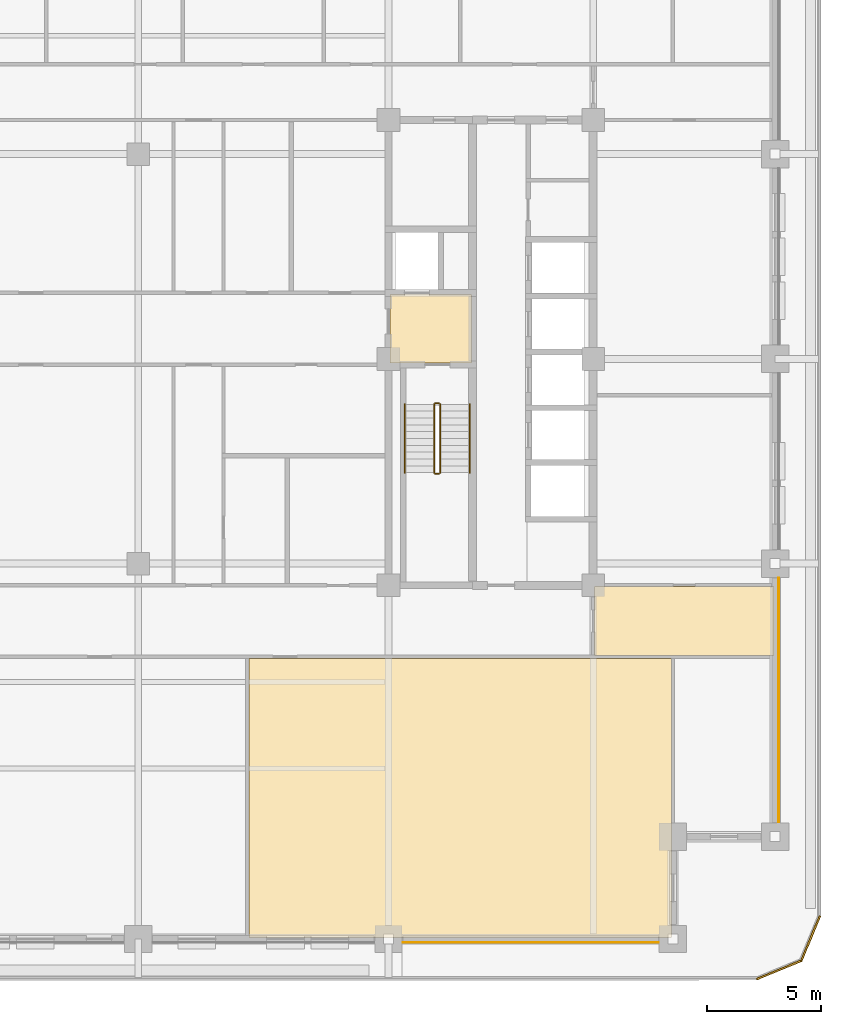
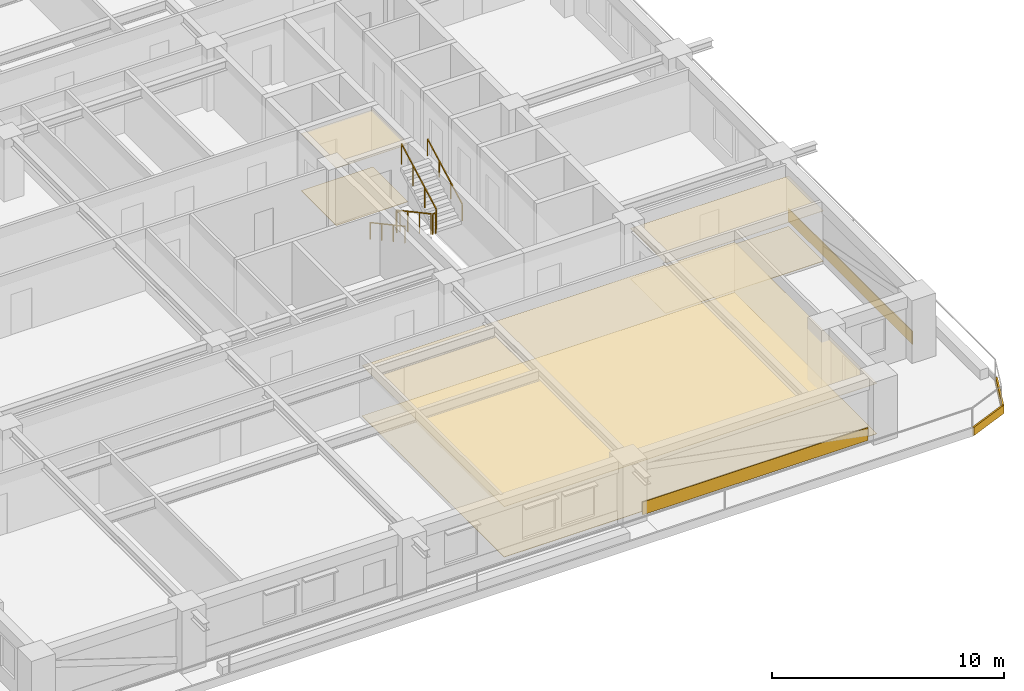
# One storey, part 12 of 14: 10 coverings, 6 railings.
"""IFC4 building model written with IfcOpenShell, lengths in metres."""

from ifc_helpers import new_model, si_unit, direction, frame, frame_2d, origin, origin_2d, place, context, subcontext, project, spatial, polyline, rectangle, outline, extrude, material, layer, layer_set, type_object, element, save


model = new_model("IFC4")

# Units and contexts
model_context = context("Model", 3, precision=1e-05, world=origin(), true_north=direction((0.0, 1.0)))
body_context = subcontext(model_context, "Body", "Model", "MODEL_VIEW")
ifc_project = project(units=[si_unit("LENGTHUNIT", "METRE"), si_unit("AREAUNIT", "SQUARE_METRE"), si_unit("VOLUMEUNIT", "CUBIC_METRE"), si_unit("PLANEANGLEUNIT", "RADIAN"), si_unit("MASSUNIT", "GRAM", prefix="KILO")], contexts=[model_context])

# Site, building, storey
site_placement = place(None, origin())
site = spatial("IfcSite", under=ifc_project, at=site_placement, CompositionType="ELEMENT")
building_placement = place(site_placement, origin())
building = spatial("IfcBuilding", under=site, at=building_placement, Name="Zulmaris Gate Convention Tower", CompositionType="ELEMENT")
storey_placement = place(building_placement, frame((0.0, 0.0, 94.929931640625)))
storey = spatial("IfcBuildingStorey", under=building, at=storey_placement, Name="L23", CompositionType="ELEMENT", Elevation=94.929931640625)

# Coverings
ifc_material_1 = material(Name="Precast concrete C40/50", Category="concrete")
ifc_layer_1 = layer(ifc_material_1, 0.0400390625, Name="Precast concrete C40/50")
ifc_layer_set_1 = layer_set([ifc_layer_1], Name="Precast concrete C40/50")
covering_type_1 = type_object("IfcCoveringType", Name="CLAD-SPANDREL-PRECAST", PredefinedType="CLADDING", material=ifc_layer_set_1)
covering_1_placement = place(storey_placement, frame((11.6298828125, -25.64990234375, 0.0), z_axis=(0.0, 0.0, 1.0), x_axis=(1.0, 0.0, 0.0)))
element("IfcCovering", 1, at=covering_1_placement, inside=storey, type_object=covering_type_1, Name="CLD-L23-S-3_0", PredefinedType="CLADDING", context=body_context, shape_type="SweptSolid", body=[
    extrude(rectangle(XDim=11.240234375, YDim=0.0400390625, at=frame_2d((5.6201171875, 0.0))), origin(), (0.0, 0.0, 1.0), 0.679931640625),
])
covering_2_placement = place(storey_placement, frame((28.14990234375, -20.3701171875, 0.0), z_axis=(0.0, 0.0, 1.0), x_axis=(0.0, 1.0, 0.0)))
element("IfcCovering", 2, at=covering_2_placement, inside=storey, type_object=covering_type_1, Name="CLD-L23-E-0_0", PredefinedType="CLADDING", context=body_context, shape_type="SweptSolid", body=[
    extrude(rectangle(XDim=10.740234375, YDim=0.0400390625, at=frame_2d((5.3701171875, 0.0))), origin(), (0.0, 0.0, 1.0), 0.679931640625),
])
ifc_material_2 = material(Name="White Glazed Architectural Precast Concrete C40/50", Category="concrete")
ifc_layer_2 = layer(ifc_material_2, 0.080078125, Name="White Glazed Architectural Precast Concrete C40/50")
ifc_layer_set_2 = layer_set([ifc_layer_2], Name="White Glazed Architectural Precast Concrete C40/50")
covering_type_2 = type_object("IfcCoveringType", Name="CLAD-TRAY-FASCIA", PredefinedType="CLADDING", material=ifc_layer_set_2)
covering_3_placement = place(storey_placement, frame((27.184814453125, -27.262939453125, -0.2900390625), z_axis=(0.0, 0.0, 1.0), x_axis=(0.923873803533, 0.382697263049, 0.0)))
element("IfcCovering", 3, at=covering_3_placement, inside=storey, type_object=covering_type_2, Name="FSC-L23-TR-03", PredefinedType="CLADDING", context=body_context, shape_type="SweptSolid", body=[
    extrude(rectangle(XDim=2.142822265625, YDim=0.080078125, at=frame_2d((1.0712890625, 0.0))), origin(), (0.0, 0.0, 1.0), 0.43994140625),
])
covering_4_placement = place(storey_placement, frame((29.142822265625, -26.464599609375, -0.2900390625), z_axis=(0.0, 0.0, 1.0), x_axis=(0.382656984709, 0.923890487046, 0.0)))
element("IfcCovering", 4, at=covering_4_placement, inside=storey, type_object=covering_type_2, Name="FSC-L23-TR-04", PredefinedType="CLADDING", context=body_context, shape_type="SweptSolid", body=[
    extrude(rectangle(XDim=2.14306640625, YDim=0.080078125, at=frame_2d((1.071533203125, 0.0))), origin(), (0.0, 0.0, 1.0), 0.43994140625),
])
ifc_material_3 = material(Name="Mineral Fibre Acoustic Ceiling Tile")
ifc_layer_3 = layer(ifc_material_3, 0.02001953125, Name="Mineral Fibre Acoustic Ceiling Tile")
ifc_layer_set_3 = layer_set([ifc_layer_3], Name="Mineral Fibre Acoustic Ceiling Tile")
covering_type_3 = type_object("IfcCoveringType", Name="CLG-ACOUSTIC-600", PredefinedType="CEILING", material=ifc_layer_set_3)
covering_5_placement = place(storey_placement, frame((0.0, 0.0, 3.01513671875)))
element("IfcCovering", 5, at=covering_5_placement, inside=storey, type_object=covering_type_3, Name="CLG-L23-R08", PredefinedType="CEILING", context=body_context, shape_type="SweptSolid", body=[
    extrude(outline(polyline([(11.06005859375, -0.18994140625), (14.639892578125, -0.18994140625), (14.639892578125, 2.840087890625), (11.06005859375, 2.840087890625), (11.06005859375, -0.18994140625)])), origin(), (0.0, 0.0, 1.0), 0.02001953125),
])
covering_6_placement = place(storey_placement, frame((0.0, 0.0, 2.655029296875)))
element("IfcCovering", 6, at=covering_6_placement, inside=storey, type_object=covering_type_3, Name="CLG-L23-R41", PredefinedType="CEILING", context=body_context, shape_type="SweptSolid", body=[
    extrude(outline(polyline([(4.860107421875, -25.43994140625), (23.43994140625, -25.43994140625), (23.43994140625, -13.159912109375), (4.860107421875, -13.159912109375), (4.860107421875, -25.43994140625)])), origin(), (0.0, 0.0, 1.0), 0.02001953125),
])
covering_7_placement = place(storey_placement, frame((0.0, 0.0, 2.655029296875)))
element("IfcCovering", 7, at=covering_7_placement, inside=storey, type_object=covering_type_3, Name="CLG-L23-R53", PredefinedType="CEILING", context=body_context, shape_type="SweptSolid", body=[
    extrude(outline(polyline([(20.06005859375, -13.0400390625), (27.93994140625, -13.0400390625), (27.93994140625, -10.010009765625), (20.06005859375, -10.010009765625), (20.06005859375, -13.0400390625)])), origin(), (0.0, 0.0, 1.0), 0.02001953125),
])
ifc_material_4 = material(Name="Woven Acoustic Wool Carpet Tile")
ifc_layer_4 = layer(ifc_material_4, 0.02001953125, Name="Woven Acoustic Wool Carpet Tile")
ifc_layer_set_4 = layer_set([ifc_layer_4], Name="Woven Acoustic Wool Carpet Tile")
covering_type_4 = type_object("IfcCoveringType", Name="FLR-CARPET-12", PredefinedType="FLOORING", material=ifc_layer_set_4)
covering_8_placement = place(storey_placement, origin())
element("IfcCovering", 8, at=covering_8_placement, inside=storey, type_object=covering_type_4, Name="FLR-L23-R08", PredefinedType="FLOORING", context=body_context, shape_type="SweptSolid", body=[
    extrude(outline(polyline([(11.06005859375, -0.18994140625), (14.639892578125, -0.18994140625), (14.639892578125, 2.840087890625), (11.06005859375, 2.840087890625), (11.06005859375, -0.18994140625)])), origin(), (0.0, 0.0, 1.0), 0.02001953125),
])
covering_9_placement = place(storey_placement, origin())
element("IfcCovering", 9, at=covering_9_placement, inside=storey, type_object=covering_type_4, Name="FLR-L23-R41", PredefinedType="FLOORING", context=body_context, shape_type="SweptSolid", body=[
    extrude(outline(polyline([(4.860107421875, -25.43994140625), (23.43994140625, -25.43994140625), (23.43994140625, -13.159912109375), (4.860107421875, -13.159912109375), (4.860107421875, -25.43994140625)])), origin(), (0.0, 0.0, 1.0), 0.02001953125),
])
covering_10_placement = place(storey_placement, origin())
element("IfcCovering", 10, at=covering_10_placement, inside=storey, type_object=covering_type_4, Name="FLR-L23-R53", PredefinedType="FLOORING", context=body_context, shape_type="SweptSolid", body=[
    extrude(outline(polyline([(20.06005859375, -13.0400390625), (27.93994140625, -13.0400390625), (27.93994140625, -10.010009765625), (20.06005859375, -10.010009765625), (20.06005859375, -13.0400390625)])), origin(), (0.0, 0.0, 1.0), 0.02001953125),
])

# Railings
ifc_material_5 = material(Name="Painted Galvanised Steel", Category="steel")
railing_type_1 = type_object("IfcRailingType", Name="RL-STG-1150", PredefinedType="GUARDRAIL", material=ifc_material_5)
railing_1_placement = place(storey_placement, frame((13.010009765625, -2.0, 0.162353515625)))
element("IfcRailing", 11, at=railing_1_placement, inside=storey, type_object=railing_type_1, Name="L23 ST-2 stair guard 1", PredefinedType="GUARDRAIL", context=body_context, shape_type="SweptSolid", body=[
    extrude(rectangle(XDim=0.048095703125, YDim=0.048095703125, at=origin_2d()), frame((0.0, 0.0, 1.076171875), z_axis=(0.0, -0.879591569277, 0.475729619907), x_axis=(1.0, 0.0, 0.0)), (0.0, 0.0, 1.0), 3.41064453125),
    extrude(rectangle(XDim=0.0419921875, YDim=0.0419921875, at=origin_2d()), origin(), (0.0, 0.0, 1.0), 1.052001953125),
    extrude(rectangle(XDim=0.0419921875, YDim=0.0419921875, at=origin_2d()), frame((0.0, -1.0, 0.540771484375)), (0.0, 0.0, 1.0), 1.052001953125),
    extrude(rectangle(XDim=0.0419921875, YDim=0.0419921875, at=origin_2d()), frame((0.0, -2.0, 1.081787109375)), (0.0, 0.0, 1.0), 1.052001953125),
    extrude(rectangle(XDim=0.0419921875, YDim=0.0419921875, at=origin_2d()), frame((0.0, -3.0, 1.62255859375)), (0.0, 0.0, 1.0), 1.052001953125),
])
railing_2_placement = place(storey_placement, frame((13.06005859375, -5.050048828125, 1.784912109375)))
element("IfcRailing", 12, at=railing_2_placement, inside=storey, type_object=railing_type_1, Name="L23 ST-2 stair guard 2", PredefinedType="GUARDRAIL", context=body_context, shape_type="SweptSolid", body=[
    extrude(rectangle(XDim=0.048095703125, YDim=0.048095703125, at=origin_2d()), frame((0.0, 0.0, 1.076171875), z_axis=(1.0, 0.0, 0.0), x_axis=(0.0, 1.0, 0.0)), (0.0, 0.0, 1.0), 0.159912109375),
    extrude(rectangle(XDim=0.0419921875, YDim=0.0419921875, at=origin_2d()), origin(), (0.0, 0.0, 1.0), 1.052001953125),
    extrude(rectangle(XDim=0.0419921875, YDim=0.0419921875, at=origin_2d()), frame((0.159912109375, 0.0, 0.0)), (0.0, 0.0, 1.0), 1.052001953125),
])
railing_3_placement = place(storey_placement, frame((13.27001953125, -5.0, 1.947265625)))
element("IfcRailing", 13, at=railing_3_placement, inside=storey, type_object=railing_type_1, Name="L23 ST-2 stair guard 3", PredefinedType="GUARDRAIL", context=body_context, shape_type="SweptSolid", body=[
    extrude(rectangle(XDim=0.048095703125, YDim=0.048095703125, at=origin_2d()), frame((0.0, 0.0, 1.076171875), z_axis=(0.0, 0.8795616155, 0.475784998228), x_axis=(-1.0, 0.0, 0.0)), (0.0, 0.0, 1.0), 3.410888671875),
    extrude(rectangle(XDim=0.0419921875, YDim=0.0419921875, at=origin_2d()), origin(), (0.0, 0.0, 1.0), 1.052001953125),
    extrude(rectangle(XDim=0.0419921875, YDim=0.0419921875, at=origin_2d()), frame((0.0, 1.0, 0.541015625)), (0.0, 0.0, 1.0), 1.052001953125),
    extrude(rectangle(XDim=0.0419921875, YDim=0.0419921875, at=origin_2d()), frame((0.0, 2.0, 1.081787109375)), (0.0, 0.0, 1.0), 1.052001953125),
    extrude(rectangle(XDim=0.0419921875, YDim=0.0419921875, at=origin_2d()), frame((0.0, 3.0, 1.622802734375)), (0.0, 0.0, 1.0), 1.052001953125),
])
railing_4_placement = place(storey_placement, frame((13.06005859375, -1.949951171875, 0.0)))
element("IfcRailing", 14, at=railing_4_placement, inside=storey, type_object=railing_type_1, Name="L23 ST-2 stair guard 4", PredefinedType="GUARDRAIL", context=body_context, shape_type="SweptSolid", body=[
    extrude(rectangle(XDim=0.048095703125, YDim=0.048095703125, at=origin_2d()), frame((0.0, 0.0, 1.076171875), z_axis=(1.0, 0.0, 0.0), x_axis=(0.0, 1.0, 0.0)), (0.0, 0.0, 1.0), 0.159912109375),
    extrude(rectangle(XDim=0.0419921875, YDim=0.0419921875, at=origin_2d()), origin(), (0.0, 0.0, 1.0), 1.052001953125),
    extrude(rectangle(XDim=0.0419921875, YDim=0.0419921875, at=origin_2d()), frame((0.159912109375, 0.0, 0.0)), (0.0, 0.0, 1.0), 1.052001953125),
])
ifc_material_6 = material(Name="Brushed Stainless Steel", Category="steel")
railing_type_2 = type_object("IfcRailingType", Name="RL-STH-900", PredefinedType="HANDRAIL", material=ifc_material_6)
railing_5_placement = place(storey_placement, frame((11.7099609375, -2.0, 0.162353515625)))
element("IfcRailing", 15, at=railing_5_placement, inside=storey, type_object=railing_type_2, Name="L23 ST-2 stair handrail 1", PredefinedType="HANDRAIL", context=body_context, shape_type="SweptSolid", body=[
    extrude(rectangle(XDim=0.048095703125, YDim=0.048095703125, at=origin_2d()), frame((0.0, 0.0, 0.8759765625), z_axis=(0.0, -0.879591569277, 0.475729619907), x_axis=(1.0, 0.0, 0.0)), (0.0, 0.0, 1.0), 3.41064453125),
    extrude(rectangle(XDim=0.0419921875, YDim=0.0419921875, at=origin_2d()), origin(), (0.0, 0.0, 1.0), 0.851806640625),
    extrude(rectangle(XDim=0.0419921875, YDim=0.0419921875, at=origin_2d()), frame((0.0, -1.0, 0.540771484375)), (0.0, 0.0, 1.0), 0.851806640625),
    extrude(rectangle(XDim=0.0419921875, YDim=0.0419921875, at=origin_2d()), frame((0.0, -2.0, 1.081787109375)), (0.0, 0.0, 1.0), 0.851806640625),
    extrude(rectangle(XDim=0.0419921875, YDim=0.0419921875, at=origin_2d()), frame((0.0, -3.0, 1.62255859375)), (0.0, 0.0, 1.0), 0.851806640625),
])
railing_6_placement = place(storey_placement, frame((14.570068359375, -5.0, 1.947265625)))
element("IfcRailing", 16, at=railing_6_placement, inside=storey, type_object=railing_type_2, Name="L23 ST-2 stair handrail 2", PredefinedType="HANDRAIL", context=body_context, shape_type="SweptSolid", body=[
    extrude(rectangle(XDim=0.048095703125, YDim=0.048095703125, at=origin_2d()), frame((0.0, 0.0, 0.8759765625), z_axis=(0.0, 0.8795616155, 0.475784998228), x_axis=(-1.0, 0.0, 0.0)), (0.0, 0.0, 1.0), 3.410888671875),
    extrude(rectangle(XDim=0.0419921875, YDim=0.0419921875, at=origin_2d()), origin(), (0.0, 0.0, 1.0), 0.851806640625),
    extrude(rectangle(XDim=0.0419921875, YDim=0.0419921875, at=origin_2d()), frame((0.0, 1.0, 0.541015625)), (0.0, 0.0, 1.0), 0.851806640625),
    extrude(rectangle(XDim=0.0419921875, YDim=0.0419921875, at=origin_2d()), frame((0.0, 2.0, 1.081787109375)), (0.0, 0.0, 1.0), 0.851806640625),
    extrude(rectangle(XDim=0.0419921875, YDim=0.0419921875, at=origin_2d()), frame((0.0, 3.0, 1.622802734375)), (0.0, 0.0, 1.0), 0.851806640625),
])

save(model, "model.ifc")
